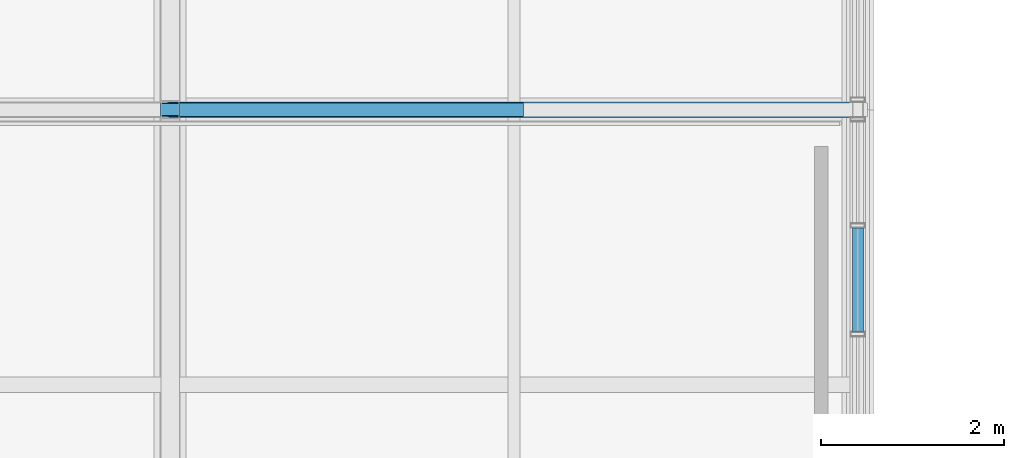
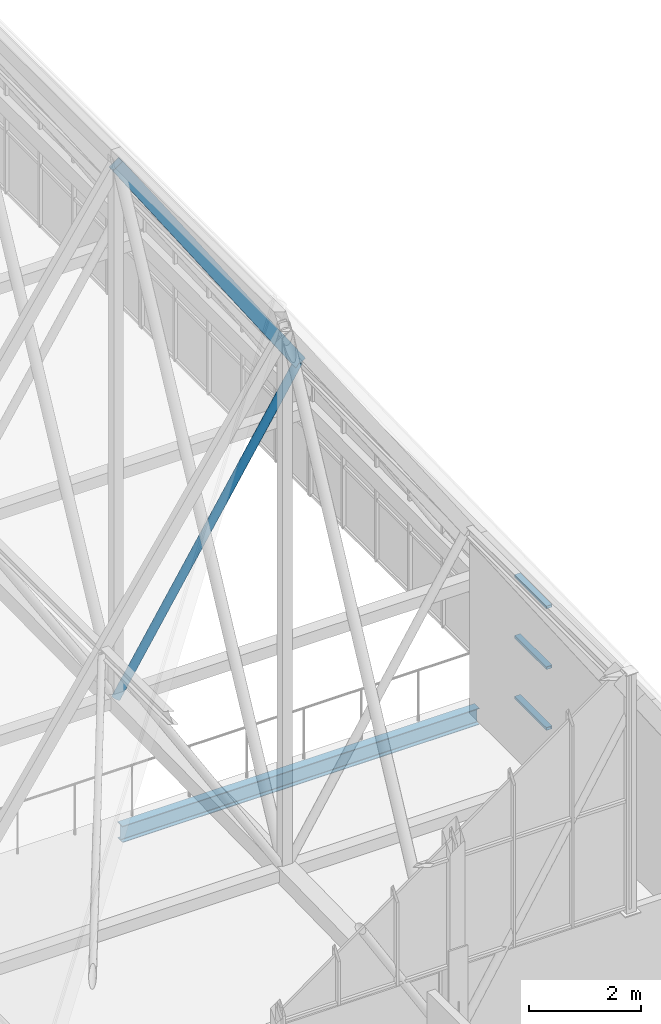
# One storey, part 219 of 324: 5 members, 1 beam, 1 element without a shape of its own.
"""IFC4 building model written with IfcOpenShell, lengths in metres."""

from ifc_helpers import new_model, si_unit, direction, frame, origin, origin_2d, place, context, subcontext, project, spatial, hollow_rectangle, hollow_circle, i_section, extrude, material, layer, layer_set, material_profile, profile_set, type_object, element, aggregate, save


model = new_model("IFC4")

# Units and contexts
model_context = context("Model", 3, precision=1e-05, world=origin(), true_north=direction((0.0, 1.0)))
body_context = subcontext(model_context, "Body", "Model", "MODEL_VIEW")
ifc_project = project(units=[si_unit("LENGTHUNIT", "METRE"), si_unit("AREAUNIT", "SQUARE_METRE"), si_unit("VOLUMEUNIT", "CUBIC_METRE"), si_unit("PLANEANGLEUNIT", "RADIAN"), si_unit("MASSUNIT", "GRAM", prefix="KILO")], contexts=[model_context])

# Site, building, storey
site_placement = place(None, origin())
site = spatial("IfcSite", under=ifc_project, at=site_placement, CompositionType="ELEMENT")
building_placement = place(site_placement, origin())
building = spatial("IfcBuilding", under=site, at=building_placement, Name="Solvenia Promenade Tram Depot", CompositionType="ELEMENT")
storey_placement = place(building_placement, frame((0.0, 0.0, 4.5)))
storey = spatial("IfcBuildingStorey", under=building, at=storey_placement, Name="L01", CompositionType="ELEMENT", Elevation=4.5)

# Curtain wall, members
ifc_material_1 = material(Name="Anodized aluminium AW-6063 T6", Category="aluminium")
ifc_layer = layer(ifc_material_1, 0.159912109375, Name="Anodized aluminium AW-6063 T6", Category="aluminium")
ifc_layer_set = layer_set([ifc_layer], Name="Anodized aluminium AW-6063 T6")
curtain_wall_type = type_object("IfcCurtainWallType", Name="CW-Channel-1200", PredefinedType="NOTDEFINED", material=ifc_layer_set)
curtain_wall_placement = place(storey_placement, origin())
curtain_wall = element("IfcCurtainWall", 1, at=curtain_wall_placement, inside=storey, type_object=curtain_wall_type, Name="Curtain Wall CW-V1E-02", PredefinedType="NOTDEFINED")
ifc_material_profile_1 = material_profile(ifc_material_1, hollow_rectangle(XDim=0.1201171875, YDim=0.06005859375, WallThickness=0.00390625, at=origin_2d()), Name="ALU-T1", Category="aluminium")
ifc_profile_set_1 = profile_set([ifc_material_profile_1], Name="Anodized aluminium AW-6063 T6")
member_type_1 = type_object("IfcMemberType", Name="CWT-Transom-1", PredefinedType="USERDEFINED", material=ifc_profile_set_1)
member_1_placement = place(storey_placement, frame((150.0, 75.577880859375, 0.72998046875), z_axis=(0.0, 1.0, 0.0), x_axis=(-1.0, 0.0, 0.0)))
member_1 = element("IfcMember", 2, at=member_1_placement, type_object=member_type_1, Name="CW-1 transom 4.1", ObjectType="TRANSOM", PredefinedType="USERDEFINED", context=body_context, shape_type="SweptSolid", body=[
    extrude(hollow_rectangle(XDim=0.1201171875, YDim=0.06005859375, WallThickness=0.00390625, at=origin_2d()), origin(), (0.0, 0.0, 1.0), 1.132080078125),
])
member_2_placement = place(storey_placement, frame((150.0, 75.577880859375, 2.050048828125), z_axis=(0.0, 1.0, 0.0), x_axis=(-1.0, 0.0, 0.0)))
member_2 = element("IfcMember", 3, at=member_2_placement, type_object=member_type_1, Name="CW-1 transom 4.2", ObjectType="TRANSOM", PredefinedType="USERDEFINED", context=body_context, shape_type="SweptSolid", body=[
    extrude(hollow_rectangle(XDim=0.1201171875, YDim=0.06005859375, WallThickness=0.00390625, at=origin_2d()), origin(), (0.0, 0.0, 1.0), 1.132080078125),
])
member_3_placement = place(storey_placement, frame((150.0, 75.577880859375, 3.3701171875), z_axis=(0.0, 1.0, 0.0), x_axis=(-1.0, 0.0, 0.0)))
member_3 = element("IfcMember", 4, at=member_3_placement, type_object=member_type_1, Name="CW-1 transom 4.3", ObjectType="TRANSOM", PredefinedType="USERDEFINED", context=body_context, shape_type="SweptSolid", body=[
    extrude(hollow_rectangle(XDim=0.1201171875, YDim=0.06005859375, WallThickness=0.00390625, at=origin_2d()), origin(), (0.0, 0.0, 1.0), 1.132080078125),
])
aggregate(curtain_wall, [member_1, member_2, member_3])

# Member
ifc_material_2 = material(Name="Structural steel ASTM A500 Gr. C", Category="steel")
ifc_material_profile_2 = material_profile(ifc_material_2, hollow_rectangle(XDim=0.14990234375, YDim=0.25, WallThickness=0.010009765625, at=origin_2d()), Name="HSS250x150x10", Category="steel")
ifc_profile_set_2 = profile_set([ifc_material_profile_2], Name="Structural steel ASTM A500 Gr. C")
member_type_2 = type_object("IfcMemberType", Name="Chord-HSS250x150x10", PredefinedType="CHORD", material=ifc_profile_set_2)
member_4_placement = place(storey_placement, frame((142.5, 78.0, 14.132080078125), z_axis=(0.557259486914, 0.0, -0.83033840345), x_axis=(0.0, 1.0, 0.0)))
element("IfcMember", 5, at=member_4_placement, inside=storey, type_object=member_type_2, Name="Zigzag Gable 10 East Upper Rafter", PredefinedType="CHORD", context=body_context, shape_type="SweptSolid", body=[
    extrude(hollow_rectangle(XDim=0.14990234375, YDim=0.25, WallThickness=0.010009765625, at=origin_2d()), origin(), (0.0, 0.0, 1.0), 6.729248046875),
])

# Beam
ifc_material_3 = material(Name="Structural steel ASTM A992 Gr. 50", Category="steel")
ifc_material_profile_3 = material_profile(ifc_material_3, i_section(OverallWidth=0.172119140625, OverallDepth=0.35791015625, WebThickness=0.0078125, FlangeThickness=0.01318359375, FilletRadius=0.010986328125, at=origin_2d()), Name="W360x57", Category="steel")
ifc_profile_set_3 = profile_set([ifc_material_profile_3], Name="Structural steel ASTM A992 Gr. 50")
beam_type = type_object("IfcBeamType", Name="Spandrel-W360x57", PredefinedType="SPANDREL", material=ifc_profile_set_3)
beam_placement = place(storey_placement, frame((142.5849609375, 78.0, -0.39892578125), z_axis=(1.0, 0.0, 0.0), x_axis=(0.0, 1.0, 0.0)))
element("IfcBeam", 6, at=beam_placement, inside=storey, type_object=beam_type, Name="Perimeter Spandrel BM-L01-0040", PredefinedType="SPANDREL", context=body_context, shape_type="SweptSolid", body=[
    extrude(i_section(OverallWidth=0.172119140625, OverallDepth=0.35791015625, WebThickness=0.0078125, FlangeThickness=0.01318359375, FilletRadius=0.010986328125, at=origin_2d()), origin(), (0.0, 0.0, 1.0), 7.330078125),
])

# Member
ifc_material_profile_4 = material_profile(ifc_material_2, hollow_circle(Radius=0.084228515625, WallThickness=0.008056640625, at=origin_2d()), Name="CHS168.3x8", Category="steel")
ifc_profile_set_4 = profile_set([ifc_material_profile_4], Name="Structural steel ASTM A500 Gr. C")
member_type_3 = type_object("IfcMemberType", Name="WebDiag-CHS168x8", PredefinedType="BRACE", material=ifc_profile_set_4)
member_5_placement = place(storey_placement, frame((142.5, 78.0, 2.5439453125), z_axis=(0.529967925608, 0.0, 0.848017687213), x_axis=(0.0, 1.0, 0.0)))
element("IfcMember", 7, at=member_5_placement, inside=storey, type_object=member_type_3, Name="Zigzag Gable 10 East Knee Strut", PredefinedType="BRACE", context=body_context, shape_type="SweptSolid", body=[
    extrude(hollow_circle(Radius=0.084228515625, WallThickness=0.008056640625, at=origin_2d()), origin(), (0.0, 0.0, 1.0), 7.075927734375),
])

save(model, "model.ifc")
